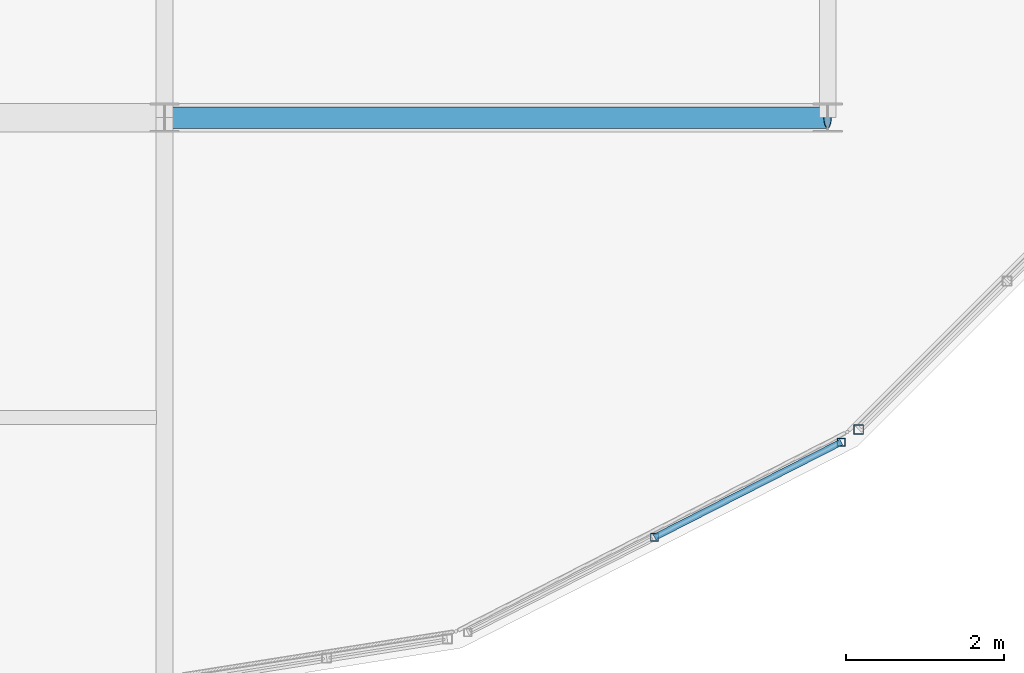
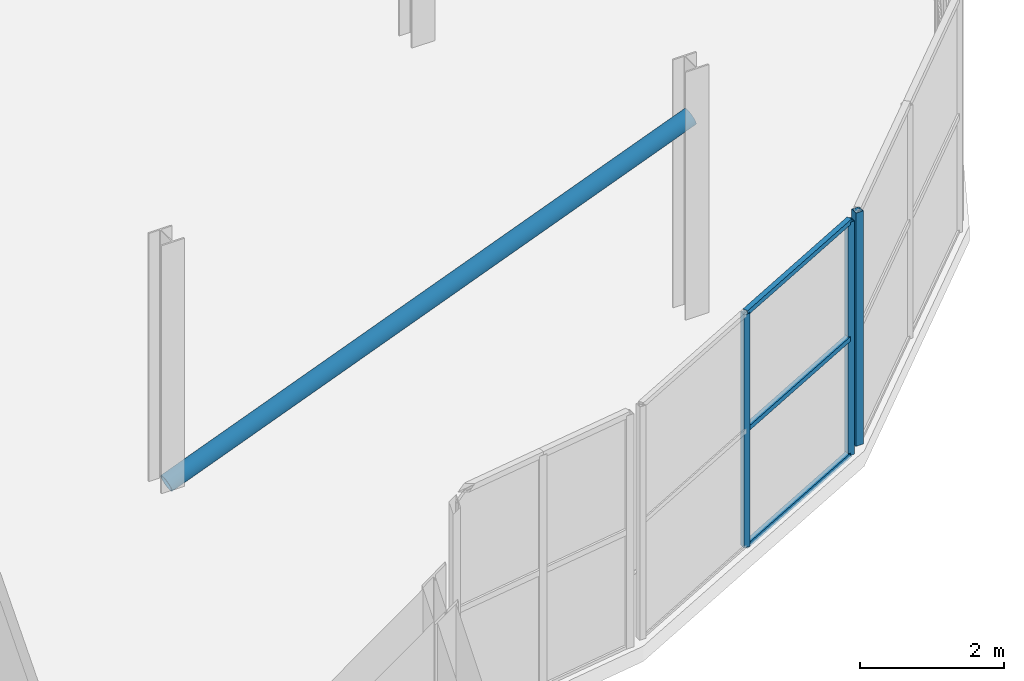
# One storey, part 144 of 217: 7 members, 2 elements without a shape of their own.
"""IFC4 building model written with IfcOpenShell, lengths in metres."""

from ifc_helpers import new_model, si_unit, direction, frame, origin, origin_2d, place, context, subcontext, project, spatial, hollow_rectangle, hollow_circle, extrude, material, material_profile, profile_set, type_object, element, aggregate, save


model = new_model("IFC4")

# Units and contexts
model_context = context("Model", 3, precision=1e-05, world=origin(), true_north=direction((0.0, 1.0)))
body_context = subcontext(model_context, "Body", "Model", "MODEL_VIEW")
ifc_project = project(units=[si_unit("LENGTHUNIT", "METRE"), si_unit("AREAUNIT", "SQUARE_METRE"), si_unit("VOLUMEUNIT", "CUBIC_METRE"), si_unit("PLANEANGLEUNIT", "RADIAN"), si_unit("MASSUNIT", "GRAM", prefix="KILO")], contexts=[model_context])

# Site, building, storey
site_placement = place(None, origin())
site = spatial("IfcSite", under=ifc_project, at=site_placement, CompositionType="ELEMENT")
building_placement = place(site_placement, origin())
building = spatial("IfcBuilding", under=site, at=building_placement, Name="Zuvorla Pavilion Media Centre", CompositionType="ELEMENT")
storey_placement = place(building_placement, frame((0.0, 0.0, 9.60009765625)))
storey = spatial("IfcBuildingStorey", under=building, at=storey_placement, Name="L02", CompositionType="ELEMENT", Elevation=9.60009765625)

# Curtain wall, members
ifc_material_1 = material(Name="Unitised anodised aluminium and solar glass curtain wall", Category="aluminium")
curtain_wall_type_1 = type_object("IfcCurtainWallType", Name="CW-SYS-02", PredefinedType="USERDEFINED", material=ifc_material_1)
curtain_wall_1_placement = place(storey_placement, origin())
curtain_wall_1 = element("IfcCurtainWall", 1, at=curtain_wall_1_placement, inside=storey, type_object=curtain_wall_type_1, Name="L02 curtain wall CW02 2", ObjectType="CURTAIN WALL", PredefinedType="USERDEFINED")
ifc_material_2 = material(Name="Anodised aluminium 6063-T6", Category="aluminium")
ifc_material_profile_1 = material_profile(ifc_material_2, hollow_rectangle(XDim=0.10009765625, YDim=0.10009765625, WallThickness=0.00439453125, at=origin_2d()), Name="ALU MULL 100x100")
ifc_profile_set_1 = profile_set([ifc_material_profile_1], Name="Anodised aluminium 6063-T6")
member_type_1 = type_object("IfcMemberType", Name="CW-MULL-100", PredefinedType="MULLION", material=ifc_profile_set_1)
member_1_placement = place(storey_placement, frame((165.40771484375, 46.2841796875, 0.0), z_axis=(0.0, 0.0, 1.0), x_axis=(1.0, 0.0, 0.0)))
member_1 = element("IfcMember", 2, at=member_1_placement, type_object=member_type_1, Name="CW02 mullion 2", PredefinedType="MULLION", context=body_context, shape_type="SweptSolid", body=[
    extrude(hollow_rectangle(XDim=0.10009765625, YDim=0.10009765625, WallThickness=0.00439453125, at=origin_2d()), origin(), (0.0, 0.0, 1.0), 3.949951171875),
])
member_2_placement = place(storey_placement, frame((167.77392578125, 47.48974609375, 0.0), z_axis=(0.0, 0.0, 1.0), x_axis=(1.0, 0.0, 0.0)))
member_2 = element("IfcMember", 3, at=member_2_placement, type_object=member_type_1, Name="CW02 mullion 3", PredefinedType="MULLION", context=body_context, shape_type="SweptSolid", body=[
    extrude(hollow_rectangle(XDim=0.10009765625, YDim=0.10009765625, WallThickness=0.00439453125, at=origin_2d()), origin(), (0.0, 0.0, 1.0), 3.949951171875),
])

# Curtain wall, member
curtain_wall_type_2 = type_object("IfcCurtainWallType", Name="CW-SYS-03", PredefinedType="USERDEFINED", material=ifc_material_1)
curtain_wall_2_placement = place(storey_placement, origin())
curtain_wall_2 = element("IfcCurtainWall", 4, at=curtain_wall_2_placement, inside=storey, type_object=curtain_wall_type_2, Name="L02 curtain wall CW03 3", ObjectType="CURTAIN WALL", PredefinedType="USERDEFINED")
ifc_material_profile_2 = material_profile(ifc_material_2, hollow_rectangle(XDim=0.1201171875, YDim=0.1201171875, WallThickness=0.0048828125, at=origin_2d()), Name="ALU MULL 120x120")
ifc_profile_set_2 = profile_set([ifc_material_profile_2], Name="Anodised aluminium 6063-T6")
member_type_2 = type_object("IfcMemberType", Name="CW-MULL-120", PredefinedType="MULLION", material=ifc_profile_set_2)
member_3_placement = place(storey_placement, frame((167.994140625, 47.64990234375, 0.0), z_axis=(0.0, 0.0, 1.0), x_axis=(1.0, 0.0, 0.0)))
member_3 = element("IfcMember", 5, at=member_3_placement, type_object=member_type_2, Name="CW03 mullion 1", PredefinedType="MULLION", context=body_context, shape_type="SweptSolid", body=[
    extrude(hollow_rectangle(XDim=0.1201171875, YDim=0.1201171875, WallThickness=0.0048828125, at=origin_2d()), origin(), (0.0, 0.0, 1.0), 3.949951171875),
])
aggregate(curtain_wall_2, [member_3])

# Member
ifc_material_profile_3 = material_profile(ifc_material_2, hollow_rectangle(XDim=0.080078125, YDim=0.080078125, WallThickness=0.00390625, at=origin_2d()), Name="ALU TRAN 80x80")
ifc_profile_set_3 = profile_set([ifc_material_profile_3], Name="Anodised aluminium 6063-T6")
member_type_3 = type_object("IfcMemberType", Name="CW-TRAN-80", PredefinedType="USERDEFINED", material=ifc_profile_set_3)
member_4_placement = place(storey_placement, frame((165.40771484375, 46.2841796875, 0.0), z_axis=(0.891018448403, 0.45396709639, 0.0), x_axis=(-0.45396709639, 0.891018448403, 0.0)))
member_4 = element("IfcMember", 6, at=member_4_placement, type_object=member_type_3, Name="CW02 transom 2.1", ObjectType="TRANSOM", PredefinedType="USERDEFINED", context=body_context, shape_type="SweptSolid", body=[
    extrude(hollow_rectangle(XDim=0.080078125, YDim=0.080078125, WallThickness=0.00390625, at=origin_2d()), origin(), (0.0, 0.0, 1.0), 2.655517578125),
])

member_5_placement = place(storey_placement, frame((165.40771484375, 46.2841796875, 1.974853515625), z_axis=(0.891018448403, 0.45396709639, 0.0), x_axis=(-0.45396709639, 0.891018448403, 0.0)))
member_5 = element("IfcMember", 7, at=member_5_placement, type_object=member_type_3, Name="CW02 transom 2.2", ObjectType="TRANSOM", PredefinedType="USERDEFINED", context=body_context, shape_type="SweptSolid", body=[
    extrude(hollow_rectangle(XDim=0.080078125, YDim=0.080078125, WallThickness=0.00390625, at=origin_2d()), origin(), (0.0, 0.0, 1.0), 2.655517578125),
])

member_6_placement = place(storey_placement, frame((165.40771484375, 46.2841796875, 3.949951171875), z_axis=(0.891018448403, 0.45396709639, 0.0), x_axis=(-0.45396709639, 0.891018448403, 0.0)))
member_6 = element("IfcMember", 8, at=member_6_placement, type_object=member_type_3, Name="CW02 transom 2.3", ObjectType="TRANSOM", PredefinedType="USERDEFINED", context=body_context, shape_type="SweptSolid", body=[
    extrude(hollow_rectangle(XDim=0.080078125, YDim=0.080078125, WallThickness=0.00390625, at=origin_2d()), origin(), (0.0, 0.0, 1.0), 2.655517578125),
])

aggregate(curtain_wall_1, [member_1, member_2, member_4, member_5, member_6])

ifc_material_3 = material(Name="Steel S355", Category="steel")
ifc_material_profile_4 = material_profile(ifc_material_3, hollow_circle(Radius=0.136474609375, WallThickness=0.012451171875, at=origin_2d()), Name="CHS 273x12.5")
ifc_profile_set_4 = profile_set([ifc_material_profile_4], Name="Steel S355")
member_type_4 = type_object("IfcMemberType", Name="MEM-BRC-CHS273", PredefinedType="BRACE", material=ifc_profile_set_4)
member_7_placement = place(storey_placement, frame((159.199951171875, 51.60009765625, 0.0), z_axis=(0.931514541354, 0.0, 0.363704081976), x_axis=(0.0, 1.0, 0.0)))
element("IfcMember", 9, at=member_7_placement, inside=storey, type_object=member_type_4, Name="L02 diagonal brace TB01 26", PredefinedType="BRACE", context=body_context, shape_type="SweptSolid", body=[
    extrude(hollow_circle(Radius=0.136474609375, WallThickness=0.012451171875, at=origin_2d()), origin(), (0.0, 0.0, 1.0), 9.017822265625),
])

save(model, "model.ifc")
